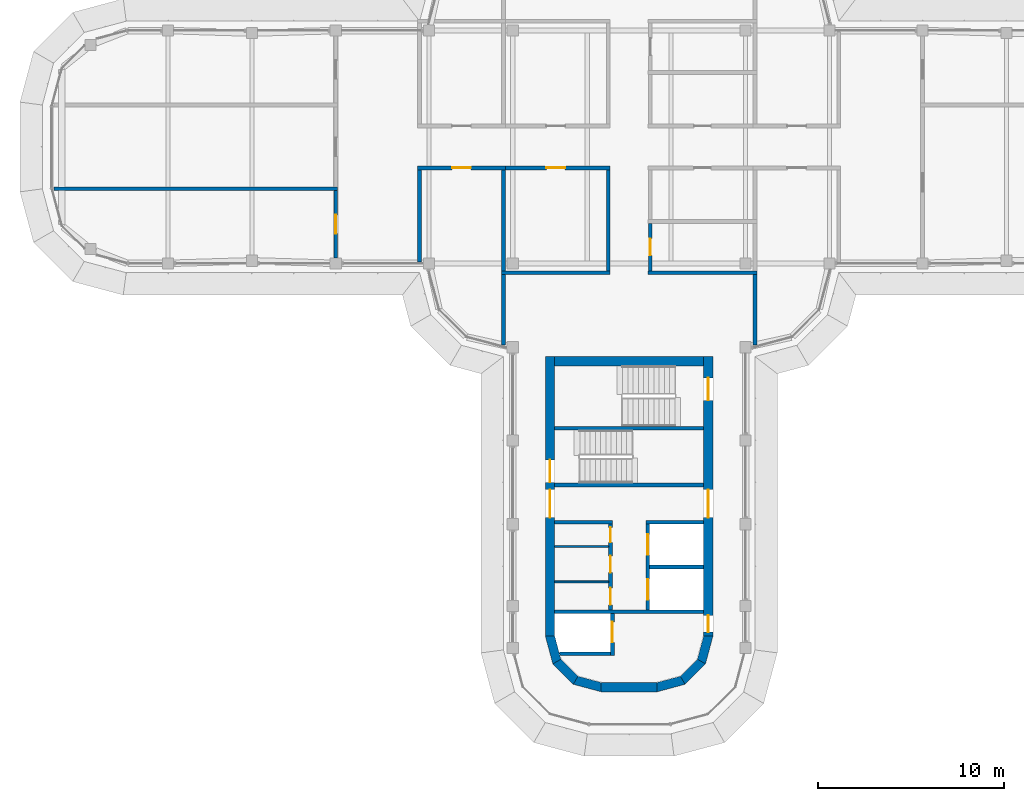
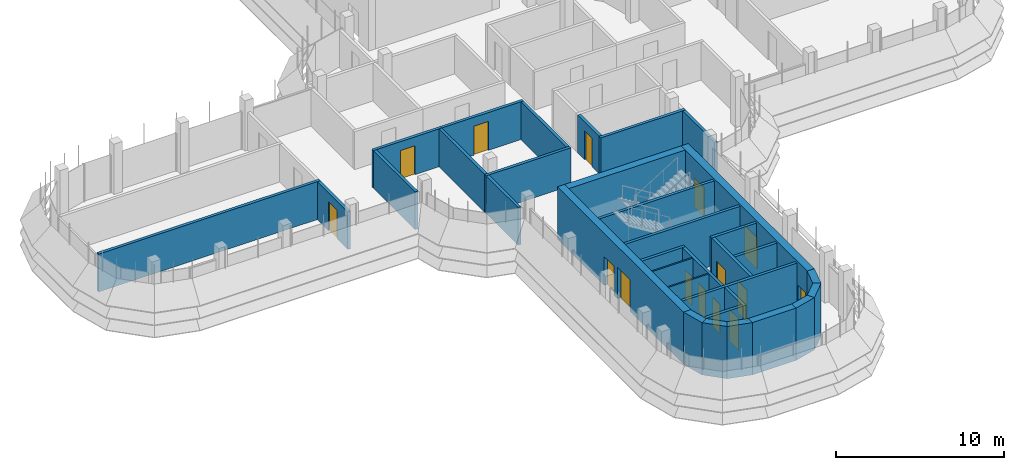
# One storey, part 13 of 19: 34 walls, 15 doors, 15 openings.
"""IFC4 building model written with IfcOpenShell, lengths in metres."""

from ifc_helpers import new_model, si_unit, direction, frame, frame_2d, origin, place, context, subcontext, project, spatial, polyline, rectangle, outline, extrude, material, layer, layer_set, type_object, element, fill, save


model = new_model("IFC4")

# Units and contexts
model_context = context("Model", 3, precision=1e-05, world=origin(), true_north=direction((0.0, 1.0)))
body_context = subcontext(model_context, "Body", "Model", "MODEL_VIEW")
ifc_project = project(units=[si_unit("LENGTHUNIT", "METRE"), si_unit("AREAUNIT", "SQUARE_METRE"), si_unit("VOLUMEUNIT", "CUBIC_METRE"), si_unit("PLANEANGLEUNIT", "RADIAN"), si_unit("MASSUNIT", "GRAM", prefix="KILO")], contexts=[model_context])

# Site, building, storey
site_placement = place(None, origin())
site = spatial("IfcSite", under=ifc_project, at=site_placement, CompositionType="ELEMENT")
building_placement = place(site_placement, origin())
building = spatial("IfcBuilding", under=site, at=building_placement, Name="Zarbagh Exchange Tower", CompositionType="ELEMENT")
storey_placement = place(building_placement, frame((0.0, 0.0, 268.800048828125)))
storey = spatial("IfcBuildingStorey", under=building, at=storey_placement, Name="L66", CompositionType="ELEMENT", Elevation=268.800048828125)

# Walls
ifc_material_1 = material(Name="Dense blockwork", Category="masonry")
ifc_layer_1 = layer(ifc_material_1, 0.10009765625)
ifc_layer_set_1 = layer_set([ifc_layer_1], Name="Core partition 100 mm blockwork")
wall_type_1 = type_object("IfcWallType", Name="Core partition 100 mm blockwork", PredefinedType="PARTITIONING", material=ifc_layer_set_1)
for number, where, z_axis, x_axis, name in (
    (1, (-1.10009765625, -23.35009765625, 0.0), (0.0, 0.0, 1.0), (-1.0, 0.0, 0.0), "South core partition wall CUT-E-500"),
    (2, (-1.10009765625, -21.449951171875, 0.0), (0.0, 0.0, 1.0), (-1.0, 0.0, 0.0), "South core partition wall CUT-E-690"),
):
    element("IfcWall", number, at=place(storey_placement, frame(where, z_axis=z_axis, x_axis=x_axis)), inside=storey, type_object=wall_type_1, Name=name, PredefinedType="PARTITIONING", context=body_context, shape_type="SweptSolid", body=[
        extrude(rectangle(XDim=2.89990234375, YDim=0.10009765625, at=frame_2d((1.449951171875, 0.0))), origin(), (0.0, 0.0, 1.0), 3.64990234375),
    ])

# Wall, opening, door
ifc_material_2 = material(Name="Fire-rated plasterboard partition")
ifc_layer_2 = layer(ifc_material_2, 0.199951171875)
ifc_layer_set_2 = layer_set([ifc_layer_2], Name="RATED PARTITION 200")
wall_type_2 = type_object("IfcWallType", Name="RATED PARTITION 200", PredefinedType="PARTITIONING", material=ifc_layer_set_2)
wall_1_placement = place(storey_placement, frame((-1.02490234375, -1.125, 0.0), z_axis=(0.0, 0.0, 1.0), x_axis=(-1.0, 0.0, 0.0)))
wall_1 = element("IfcWall", 3, at=wall_1_placement, inside=storey, type_object=wall_type_2, Name="Partition W-2807", PredefinedType="PARTITIONING", context=body_context, shape_type="SweptSolid", body=[
    extrude(rectangle(XDim=5.8251953125, YDim=0.199951171875, at=frame_2d((2.91259765625, 0.0))), origin(), (0.0, 0.0, 1.0), 2.75),
])
opening_1_placement = place(wall_1_placement, frame((2.41259765625, 0.0, 0.0)))
opening_1 = element("IfcOpeningElement", 4, at=opening_1_placement, cuts=wall_1, Name="Opening D-2812", PredefinedType="OPENING", context=body_context, shape_type="SweptSolid", body=[
    extrude(rectangle(XDim=1.0, YDim=2.10009765625, at=frame_2d((0.5, 1.050048828125))), frame((0.0, 0.10986328125, 0.0), z_axis=(0.0, -1.0, 0.0), x_axis=(1.0, 0.0, 0.0)), (0.0, 0.0, 1.0), 0.219970703125),
])
ifc_material_3 = material(Name="Steel door set", Category="steel")
door_type_1 = type_object("IfcDoorType", Name="FIRE DOOR 1000 X 2100 FD30S", OperationType="NOTDEFINED", PredefinedType="DOOR", material=ifc_material_3)
door_1_placement = place(opening_1_placement, origin())
door_1 = element("IfcDoor", 5, at=door_1_placement, inside=storey, type_object=door_type_1, Name="Door D-2812", OperationType="SINGLE_SWING_RIGHT", OverallHeight=2.10009765625, OverallWidth=1.0, PredefinedType="DOOR", context=body_context, shape_type="SweptSolid", body=[
    extrude(rectangle(XDim=1.0, YDim=2.10009765625, at=frame_2d((0.5, 1.050048828125))), frame((0.0, 0.02490234375, 0.0), z_axis=(0.0, -1.0, 0.0), x_axis=(1.0, 0.0, 0.0)), (0.0, 0.0, 1.0), 0.050048828125),
])
fill(opening_1, door_1)

wall_2_placement = place(storey_placement, frame((-6.64990234375, -1.125, 0.0), z_axis=(0.0, 0.0, 1.0), x_axis=(-1.0, 0.0, 0.0)))
wall_2 = element("IfcWall", 6, at=wall_2_placement, inside=storey, type_object=wall_type_2, Name="Partition W-2808", PredefinedType="PARTITIONING", context=body_context, shape_type="SweptSolid", body=[
    extrude(rectangle(XDim=4.7001953125, YDim=0.199951171875, at=frame_2d((2.35009765625, 0.0))), origin(), (0.0, 0.0, 1.0), 2.75),
])
opening_2_placement = place(wall_2_placement, frame((1.85009765625, 0.0, 0.0)))
opening_2 = element("IfcOpeningElement", 7, at=opening_2_placement, cuts=wall_2, Name="Opening D-2813", PredefinedType="OPENING", context=body_context, shape_type="SweptSolid", body=[
    extrude(rectangle(XDim=1.0, YDim=2.10009765625, at=frame_2d((0.5, 1.050048828125))), frame((0.0, 0.10986328125, 0.0), z_axis=(0.0, -1.0, 0.0), x_axis=(1.0, 0.0, 0.0)), (0.0, 0.0, 1.0), 0.219970703125),
])
door_2_placement = place(opening_2_placement, origin())
door_2 = element("IfcDoor", 8, at=door_2_placement, inside=storey, type_object=door_type_1, Name="Door D-2813", OperationType="SINGLE_SWING_RIGHT", OverallHeight=2.10009765625, OverallWidth=1.0, PredefinedType="DOOR", context=body_context, shape_type="SweptSolid", body=[
    extrude(rectangle(XDim=1.0, YDim=2.10009765625, at=frame_2d((0.5, 1.050048828125))), frame((0.0, 0.02490234375, 0.0), z_axis=(0.0, -1.0, 0.0), x_axis=(1.0, 0.0, 0.0)), (0.0, 0.0, 1.0), 0.050048828125),
])
fill(opening_2, door_2)

wall_3_placement = place(storey_placement, frame((1.125, -4.10009765625, 0.0), z_axis=(0.0, 0.0, 1.0), x_axis=(0.0, -1.0, 0.0)))
wall_3 = element("IfcWall", 9, at=wall_3_placement, inside=storey, type_object=wall_type_2, Name="Partition W-2813", PredefinedType="PARTITIONING", context=body_context, shape_type="SweptSolid", body=[
    extrude(rectangle(XDim=2.5498046875, YDim=0.199951171875, at=frame_2d((1.27490234375, 0.0))), origin(), (0.0, 0.0, 1.0), 2.75),
])
opening_3_placement = place(wall_3_placement, frame((0.824951171875, 0.0, 0.0)))
opening_3 = element("IfcOpeningElement", 10, at=opening_3_placement, cuts=wall_3, Name="Opening D-2810", PredefinedType="OPENING", context=body_context, shape_type="SweptSolid", body=[
    extrude(rectangle(XDim=0.89990234375, YDim=2.10009765625, at=frame_2d((0.449951171875, 1.050048828125))), frame((0.0, 0.10986328125, 0.0), z_axis=(0.0, -1.0, 0.0), x_axis=(1.0, 0.0, 0.0)), (0.0, 0.0, 1.0), 0.219970703125),
])
ifc_material_4 = material(Name="Timber door leaf", Category="wood")
door_type_2 = type_object("IfcDoorType", Name="DOOR 900 X 2100", OperationType="NOTDEFINED", PredefinedType="DOOR", material=ifc_material_4)
door_3_placement = place(opening_3_placement, origin())
door_3 = element("IfcDoor", 11, at=door_3_placement, inside=storey, type_object=door_type_2, Name="Door D-2810", OperationType="SINGLE_SWING_RIGHT", OverallHeight=2.10009765625, OverallWidth=0.89990234375, PredefinedType="DOOR", context=body_context, shape_type="SweptSolid", body=[
    extrude(rectangle(XDim=0.89990234375, YDim=2.10009765625, at=frame_2d((0.449951171875, 1.050048828125))), frame((0.0, 0.02490234375, 0.0), z_axis=(0.0, -1.0, 0.0), x_axis=(1.0, 0.0, 0.0)), (0.0, 0.0, 1.0), 0.050048828125),
])
fill(opening_3, door_3)

# Walls
wall_4_placement = place(storey_placement, frame((-1.125, -6.64990234375, 0.0), z_axis=(0.0, 0.0, 1.0), x_axis=(0.0, 1.0, 0.0)))
element("IfcWall", 12, at=wall_4_placement, inside=storey, type_object=wall_type_2, Name="Partition W-2814", PredefinedType="PARTITIONING", context=body_context, shape_type="SweptSolid", body=[
    extrude(rectangle(XDim=5.4248046875, YDim=0.199951171875, at=frame_2d((2.71240234375, 0.0))), origin(), (0.0, 0.0, 1.0), 2.75),
])
wall_5_placement = place(storey_placement, frame((1.02490234375, -6.75, 0.0), z_axis=(0.0, 0.0, 1.0), x_axis=(1.0, 0.0, 0.0)))
element("IfcWall", 13, at=wall_5_placement, inside=storey, type_object=wall_type_2, Name="Partition W-2819", PredefinedType="PARTITIONING", context=body_context, shape_type="SweptSolid", body=[
    extrude(rectangle(XDim=5.8251953125, YDim=0.199951171875, at=frame_2d((2.91259765625, 0.0))), origin(), (0.0, 0.0, 1.0), 2.75),
])
wall_6_placement = place(storey_placement, frame((6.75, -10.6298828125, 0.0), z_axis=(0.0, 0.0, 1.0), x_axis=(0.0, 1.0, 0.0)))
element("IfcWall", 14, at=wall_6_placement, inside=storey, type_object=wall_type_2, Name="Partition W-2820", PredefinedType="PARTITIONING", context=body_context, shape_type="SweptSolid", body=[
    extrude(rectangle(XDim=3.77978515625, YDim=0.199951171875, at=frame_2d((1.889892578125, 0.0))), origin(), (0.0, 0.0, 1.0), 2.75),
])
wall_7_placement = place(storey_placement, frame((-6.85009765625, -6.75, 0.0), z_axis=(0.0, 0.0, 1.0), x_axis=(1.0, 0.0, 0.0)))
element("IfcWall", 15, at=wall_7_placement, inside=storey, type_object=wall_type_2, Name="Partition W-2821", PredefinedType="PARTITIONING", context=body_context, shape_type="SweptSolid", body=[
    extrude(rectangle(XDim=5.8251953125, YDim=0.199951171875, at=frame_2d((2.91259765625, 0.0))), origin(), (0.0, 0.0, 1.0), 2.75),
])
wall_8_placement = place(storey_placement, frame((-6.75, -10.6298828125, 0.0), z_axis=(0.0, 0.0, 1.0), x_axis=(0.0, 1.0, 0.0)))
element("IfcWall", 16, at=wall_8_placement, inside=storey, type_object=wall_type_2, Name="Partition W-2822", PredefinedType="PARTITIONING", context=body_context, shape_type="SweptSolid", body=[
    extrude(rectangle(XDim=3.77978515625, YDim=0.199951171875, at=frame_2d((1.889892578125, 0.0))), origin(), (0.0, 0.0, 1.0), 2.75),
])
wall_9_placement = place(storey_placement, frame((-6.75, -6.64990234375, 0.0), z_axis=(0.0, 0.0, 1.0), x_axis=(0.0, 1.0, 0.0)))
element("IfcWall", 17, at=wall_9_placement, inside=storey, type_object=wall_type_2, Name="Partition W-2834", PredefinedType="PARTITIONING", context=body_context, shape_type="SweptSolid", body=[
    extrude(rectangle(XDim=5.4248046875, YDim=0.199951171875, at=frame_2d((2.71240234375, 0.0))), origin(), (0.0, 0.0, 1.0), 2.75),
])
wall_10_placement = place(storey_placement, frame((-11.25, -6.169921875, 0.0), z_axis=(0.0, 0.0, 1.0), x_axis=(0.0, 1.0, 0.0)))
element("IfcWall", 18, at=wall_10_placement, inside=storey, type_object=wall_type_2, Name="Partition W-2835", PredefinedType="PARTITIONING", context=body_context, shape_type="SweptSolid", body=[
    extrude(rectangle(XDim=4.94482421875, YDim=0.199951171875, at=frame_2d((2.472412109375, 0.0))), origin(), (0.0, 0.0, 1.0), 2.75),
])

# Wall, opening, door
wall_11_placement = place(storey_placement, frame((-15.75, -5.949951171875, 0.0), z_axis=(0.0, 0.0, 1.0), x_axis=(0.0, 1.0, 0.0)))
wall_11 = element("IfcWall", 19, at=wall_11_placement, inside=storey, type_object=wall_type_2, Name="Partition W-2839", PredefinedType="PARTITIONING", context=body_context, shape_type="SweptSolid", body=[
    extrude(rectangle(XDim=3.599853515625, YDim=0.199951171875, at=frame_2d((1.7998046875, 0.0))), origin(), (0.0, 0.0, 1.0), 2.75),
])
opening_4_placement = place(wall_11_placement, frame((1.300048828125, 0.0, 0.0)))
opening_4 = element("IfcOpeningElement", 20, at=opening_4_placement, cuts=wall_11, Name="Opening D-2814", PredefinedType="OPENING", context=body_context, shape_type="SweptSolid", body=[
    extrude(rectangle(XDim=1.0, YDim=2.10009765625, at=frame_2d((0.5, 1.050048828125))), frame((0.0, 0.10986328125, 0.0), z_axis=(0.0, -1.0, 0.0), x_axis=(1.0, 0.0, 0.0)), (0.0, 0.0, 1.0), 0.219970703125),
])
door_4_placement = place(opening_4_placement, origin())
door_4 = element("IfcDoor", 21, at=door_4_placement, inside=storey, type_object=door_type_1, Name="Door D-2814", OperationType="SINGLE_SWING_LEFT", OverallHeight=2.10009765625, OverallWidth=1.0, PredefinedType="DOOR", context=body_context, shape_type="SweptSolid", body=[
    extrude(rectangle(XDim=1.0, YDim=2.10009765625, at=frame_2d((0.5, 1.050048828125))), frame((0.0, 0.02490234375, 0.0), z_axis=(0.0, -1.0, 0.0), x_axis=(1.0, 0.0, 0.0)), (0.0, 0.0, 1.0), 0.050048828125),
])
fill(opening_4, door_4)

# Walls
wall_12_placement = place(storey_placement, frame((-30.8798828125, -2.25, 0.0), z_axis=(0.0, 0.0, 1.0), x_axis=(1.0, 0.0, 0.0)))
element("IfcWall", 22, at=wall_12_placement, inside=storey, type_object=wall_type_2, Name="Partition W-2842", PredefinedType="PARTITIONING", context=body_context, shape_type="SweptSolid", body=[
    extrude(rectangle(XDim=15.22998046875, YDim=0.199951171875, at=frame_2d((7.614990234375, 0.0))), origin(), (0.0, 0.0, 1.0), 2.75),
])
ifc_material_5 = material(Name="Concrete C40/50", Category="concrete")
ifc_layer_3 = layer(ifc_material_5, 0.5)
ifc_layer_set_3 = layer_set([ifc_layer_3], Name="RC core corner wall 500 C40/50")
wall_type_3 = type_object("IfcWallType", Name="RC core corner wall 500 C40/50", PredefinedType="SHEAR", material=ifc_layer_set_3)
wall_13_placement = place(storey_placement, origin())
element("IfcWall", 23, at=wall_13_placement, inside=storey, type_object=wall_type_3, Name="CW10 core S corner W", PredefinedType="SHEAR", context=body_context, shape_type="SweptSolid", body=[
    extrude(outline(polyline([(-4.5, -26.25), (-4.09814453125, -27.75), (-3.6650390625, -27.5), (-4.0, -26.25), (-4.5, -26.25)])), origin(), (0.0, 0.0, 1.0), 3.800048828125),
])
wall_14_placement = place(storey_placement, origin())
element("IfcWall", 24, at=wall_14_placement, inside=storey, type_object=wall_type_3, Name="CW10 core S corner W", PredefinedType="SHEAR", context=body_context, shape_type="SweptSolid", body=[
    extrude(outline(polyline([(-4.09814453125, -27.75), (-3.0, -28.84814453125), (-2.75, -28.4150390625), (-3.6650390625, -27.5), (-4.09814453125, -27.75)])), origin(), (0.0, 0.0, 1.0), 3.800048828125),
])
wall_15_placement = place(storey_placement, origin())
element("IfcWall", 25, at=wall_15_placement, inside=storey, type_object=wall_type_3, Name="CW10 core S corner W", PredefinedType="SHEAR", context=body_context, shape_type="SweptSolid", body=[
    extrude(outline(polyline([(-3.0, -28.84814453125), (-1.5, -29.25), (-1.5, -28.75), (-2.75, -28.4150390625), (-3.0, -28.84814453125)])), origin(), (0.0, 0.0, 1.0), 3.800048828125),
])
wall_16_placement = place(storey_placement, origin())
element("IfcWall", 26, at=wall_16_placement, inside=storey, type_object=wall_type_3, Name="CW10 core S corner E", PredefinedType="SHEAR", context=body_context, shape_type="SweptSolid", body=[
    extrude(outline(polyline([(4.5, -26.25), (4.09814453125, -27.75), (3.6650390625, -27.5), (4.0, -26.25), (4.5, -26.25)])), origin(), (0.0, 0.0, 1.0), 3.800048828125),
])
wall_17_placement = place(storey_placement, origin())
element("IfcWall", 27, at=wall_17_placement, inside=storey, type_object=wall_type_3, Name="CW10 core S corner E", PredefinedType="SHEAR", context=body_context, shape_type="SweptSolid", body=[
    extrude(outline(polyline([(4.09814453125, -27.75), (3.0, -28.84814453125), (2.75, -28.4150390625), (3.6650390625, -27.5), (4.09814453125, -27.75)])), origin(), (0.0, 0.0, 1.0), 3.800048828125),
])
wall_18_placement = place(storey_placement, origin())
element("IfcWall", 28, at=wall_18_placement, inside=storey, type_object=wall_type_3, Name="CW10 core S corner E", PredefinedType="SHEAR", context=body_context, shape_type="SweptSolid", body=[
    extrude(outline(polyline([(3.0, -28.84814453125), (1.5, -29.25), (1.5, -28.75), (2.75, -28.4150390625), (3.0, -28.84814453125)])), origin(), (0.0, 0.0, 1.0), 3.800048828125),
])

# Wall, openings, doors
ifc_layer_4 = layer(ifc_material_5, 0.5)
ifc_layer_set_4 = layer_set([ifc_layer_4], Name="RC core wall 500 C40/50")
wall_type_4 = type_object("IfcWallType", Name="RC core wall 500 C40/50", PredefinedType="SHEAR", material=ifc_layer_set_4)
wall_19_placement = place(storey_placement, frame((-4.25, -11.25, 0.0), z_axis=(0.0, 0.0, 1.0), x_axis=(0.0, -1.0, 0.0)))
wall_19 = element("IfcWall", 29, at=wall_19_placement, inside=storey, type_object=wall_type_4, Name="CW9 core S W", PredefinedType="SHEAR", context=body_context, shape_type="SweptSolid", body=[
    extrude(rectangle(XDim=15.0, YDim=0.5, at=frame_2d((7.5, 0.0))), origin(), (0.0, 0.0, 1.0), 3.800048828125),
])
opening_5_placement = place(wall_19_placement, frame((7.14990234375, 0.0, 0.0)))
opening_5 = element("IfcOpeningElement", 30, at=opening_5_placement, cuts=wall_19, Name="Opening CD1-1500", PredefinedType="OPENING", context=body_context, shape_type="SweptSolid", body=[
    extrude(rectangle(XDim=1.5, YDim=2.300048828125, at=frame_2d((0.75, 1.14990234375))), frame((0.0, 0.260009765625, 0.0), z_axis=(0.0, -1.0, 0.0), x_axis=(1.0, 0.0, 0.0)), (0.0, 0.0, 1.0), 0.52001953125),
])
opening_6_placement = place(wall_19_placement, frame((5.550048828125, 0.0, 0.0)))
opening_6 = element("IfcOpeningElement", 31, at=opening_6_placement, cuts=wall_19, Name="Opening SD1-1200", PredefinedType="OPENING", context=body_context, shape_type="SweptSolid", body=[
    extrude(rectangle(XDim=1.199951171875, YDim=2.10009765625, at=frame_2d((0.60009765625, 1.050048828125))), frame((0.0, 0.260009765625, 0.0), z_axis=(0.0, -1.0, 0.0), x_axis=(1.0, 0.0, 0.0)), (0.0, 0.0, 1.0), 0.52001953125),
])
ifc_material_6 = material(Name="Steel", Category="steel")
door_type_3 = type_object("IfcDoorType", Name="Exit stair door 1200 x 2100", OperationType="NOTDEFINED", PredefinedType="DOOR", material=ifc_material_6)
door_5_placement = place(opening_6_placement, origin())
door_5 = element("IfcDoor", 32, at=door_5_placement, inside=storey, type_object=door_type_3, Name="South core stair door ST1", OperationType="SINGLE_SWING_LEFT", OverallHeight=2.10009765625, OverallWidth=1.199951171875, PredefinedType="DOOR", context=body_context, shape_type="SweptSolid", body=[
    extrude(rectangle(XDim=1.199951171875, YDim=2.10009765625, at=frame_2d((0.60009765625, 1.050048828125))), frame((0.0, 0.02490234375, 0.0), z_axis=(0.0, -1.0, 0.0), x_axis=(1.0, 0.0, 0.0)), (0.0, 0.0, 1.0), 0.050048828125),
])
fill(opening_6, door_5)
door_type_4 = type_object("IfcDoorType", Name="Lift lobby double door 1500 x 2300", OperationType="NOTDEFINED", PredefinedType="DOOR", material=ifc_material_6)
door_6_placement = place(opening_5_placement, origin())
door_6 = element("IfcDoor", 33, at=door_6_placement, inside=storey, type_object=door_type_4, Name="South core lift lobby door LOBBY-E", OperationType="DOUBLE_DOOR_SINGLE_SWING", OverallHeight=2.300048828125, OverallWidth=1.5, PredefinedType="DOOR", context=body_context, shape_type="SweptSolid", body=[
    extrude(rectangle(XDim=1.5, YDim=2.300048828125, at=frame_2d((0.75, 1.14990234375))), frame((0.0, 0.02490234375, 0.0), z_axis=(0.0, -1.0, 0.0), x_axis=(1.0, 0.0, 0.0)), (0.0, 0.0, 1.0), 0.050048828125),
])
fill(opening_5, door_6)

wall_20_placement = place(storey_placement, frame((4.25, -11.25, 0.0), z_axis=(0.0, 0.0, 1.0), x_axis=(0.0, -1.0, 0.0)))
wall_20 = element("IfcWall", 34, at=wall_20_placement, inside=storey, type_object=wall_type_4, Name="CW9 core S E", PredefinedType="SHEAR", context=body_context, shape_type="SweptSolid", body=[
    extrude(rectangle(XDim=15.0, YDim=0.5, at=frame_2d((7.5, 0.0))), origin(), (0.0, 0.0, 1.0), 3.800048828125),
])
opening_7_placement = place(wall_20_placement, frame((7.14990234375, 0.0, 0.0)))
opening_7 = element("IfcOpeningElement", 35, at=opening_7_placement, cuts=wall_20, Name="Opening CD1-1500", PredefinedType="OPENING", context=body_context, shape_type="SweptSolid", body=[
    extrude(rectangle(XDim=1.5, YDim=2.300048828125, at=frame_2d((0.75, 1.14990234375))), frame((0.0, 0.260009765625, 0.0), z_axis=(0.0, -1.0, 0.0), x_axis=(1.0, 0.0, 0.0)), (0.0, 0.0, 1.0), 0.52001953125),
])
opening_8_placement = place(wall_20_placement, frame((13.89990234375, 0.0, 0.0)))
opening_8 = element("IfcOpeningElement", 36, at=opening_8_placement, cuts=wall_20, Name="Opening CD2-900", PredefinedType="OPENING", context=body_context, shape_type="SweptSolid", body=[
    extrude(rectangle(XDim=0.89990234375, YDim=2.10009765625, at=frame_2d((0.449951171875, 1.050048828125))), frame((0.0, 0.260009765625, 0.0), z_axis=(0.0, -1.0, 0.0), x_axis=(1.0, 0.0, 0.0)), (0.0, 0.0, 1.0), 0.52001953125),
])
opening_9_placement = place(wall_20_placement, frame((1.14990234375, 0.0, 0.0)))
opening_9 = element("IfcOpeningElement", 37, at=opening_9_placement, cuts=wall_20, Name="Opening SD1-1200", PredefinedType="OPENING", context=body_context, shape_type="SweptSolid", body=[
    extrude(rectangle(XDim=1.199951171875, YDim=2.10009765625, at=frame_2d((0.60009765625, 1.050048828125))), frame((0.0, 0.260009765625, 0.0), z_axis=(0.0, -1.0, 0.0), x_axis=(1.0, 0.0, 0.0)), (0.0, 0.0, 1.0), 0.52001953125),
])
door_7_placement = place(opening_9_placement, origin())
door_7 = element("IfcDoor", 38, at=door_7_placement, inside=storey, type_object=door_type_3, Name="South core stair door ST2", OperationType="SINGLE_SWING_RIGHT", OverallHeight=2.10009765625, OverallWidth=1.199951171875, PredefinedType="DOOR", context=body_context, shape_type="SweptSolid", body=[
    extrude(rectangle(XDim=1.199951171875, YDim=2.10009765625, at=frame_2d((0.60009765625, 1.050048828125))), frame((0.0, 0.02490234375, 0.0), z_axis=(0.0, -1.0, 0.0), x_axis=(1.0, 0.0, 0.0)), (0.0, 0.0, 1.0), 0.050048828125),
])
fill(opening_9, door_7)
door_type_5 = type_object("IfcDoorType", Name="Firefighting lobby door 900 x 2100", OperationType="NOTDEFINED", PredefinedType="DOOR", material=ifc_material_6)
door_8_placement = place(opening_8_placement, origin())
door_8 = element("IfcDoor", 39, at=door_8_placement, inside=storey, type_object=door_type_5, Name="South core firefighting lobby door FF-W", OperationType="SINGLE_SWING_RIGHT", OverallHeight=2.10009765625, OverallWidth=0.89990234375, PredefinedType="DOOR", context=body_context, shape_type="SweptSolid", body=[
    extrude(rectangle(XDim=0.89990234375, YDim=2.10009765625, at=frame_2d((0.449951171875, 1.050048828125))), frame((0.0, 0.02490234375, 0.0), z_axis=(0.0, -1.0, 0.0), x_axis=(1.0, 0.0, 0.0)), (0.0, 0.0, 1.0), 0.050048828125),
])
fill(opening_8, door_8)
door_9_placement = place(opening_7_placement, origin())
door_9 = element("IfcDoor", 40, at=door_9_placement, inside=storey, type_object=door_type_4, Name="South core lift lobby door LOBBY-W", OperationType="DOUBLE_DOOR_SINGLE_SWING", OverallHeight=2.300048828125, OverallWidth=1.5, PredefinedType="DOOR", context=body_context, shape_type="SweptSolid", body=[
    extrude(rectangle(XDim=1.5, YDim=2.300048828125, at=frame_2d((0.75, 1.14990234375))), frame((0.0, 0.02490234375, 0.0), z_axis=(0.0, -1.0, 0.0), x_axis=(1.0, 0.0, 0.0)), (0.0, 0.0, 1.0), 0.050048828125),
])
fill(opening_7, door_9)

# Walls
wall_21_placement = place(storey_placement, frame((-4.0, -11.5, 0.0), z_axis=(0.0, 0.0, 1.0), x_axis=(1.0, 0.0, 0.0)))
element("IfcWall", 41, at=wall_21_placement, inside=storey, type_object=wall_type_4, Name="CW9 core S inner end", PredefinedType="SHEAR", context=body_context, shape_type="SweptSolid", body=[
    extrude(rectangle(XDim=8.0, YDim=0.5, at=frame_2d((4.0, 0.0))), origin(), (0.0, 0.0, 1.0), 3.800048828125),
])
wall_22_placement = place(storey_placement, frame((-1.5, -29.0, 0.0), z_axis=(0.0, 0.0, 1.0), x_axis=(1.0, 0.0, 0.0)))
element("IfcWall", 42, at=wall_22_placement, inside=storey, type_object=wall_type_4, Name="CW9 core S outer end", PredefinedType="SHEAR", context=body_context, shape_type="SweptSolid", body=[
    extrude(rectangle(XDim=3.0, YDim=0.5, at=frame_2d((1.5, 0.0))), origin(), (0.0, 0.0, 1.0), 3.800048828125),
])
ifc_layer_5 = layer(ifc_material_1, 0.199951171875)
ifc_layer_set_5 = layer_set([ifc_layer_5], Name="Shaft wall 200 mm blockwork")
wall_type_5 = type_object("IfcWallType", Name="Shaft wall 200 mm blockwork", PredefinedType="PARTITIONING", material=ifc_layer_set_5)
wall_23_placement = place(storey_placement, frame((4.0, -20.14990234375, 0.0), z_axis=(0.0, 0.0, 1.0), x_axis=(-1.0, 0.0, 0.0)))
element("IfcWall", 43, at=wall_23_placement, inside=storey, type_object=wall_type_5, Name="South core shaft wall AB-W", PredefinedType="PARTITIONING", context=body_context, shape_type="SweptSolid", body=[
    extrude(rectangle(XDim=3.10009765625, YDim=0.199951171875, at=frame_2d((1.550048828125, 0.0))), origin(), (0.0, 0.0, 1.0), 3.64990234375),
])

# Wall, openings, doors
wall_24_placement = place(storey_placement, frame((1.0, -24.85009765625, 0.0), z_axis=(0.0, 0.0, 1.0), x_axis=(0.0, 1.0, 0.0)))
wall_24 = element("IfcWall", 44, at=wall_24_placement, inside=storey, type_object=wall_type_5, Name="South core shaft wall LW-W", PredefinedType="PARTITIONING", context=body_context, shape_type="SweptSolid", body=[
    extrude(rectangle(XDim=4.60009765625, YDim=0.199951171875, at=frame_2d((2.300048828125, 0.0))), origin(), (0.0, 0.0, 1.0), 3.64990234375),
])
opening_10_placement = place(wall_24_placement, frame((0.550048828125, 0.0, 0.0)))
opening_10 = element("IfcOpeningElement", 45, at=opening_10_placement, cuts=wall_24, Name="Opening LD-1100", PredefinedType="OPENING", context=body_context, shape_type="SweptSolid", body=[
    extrude(rectangle(XDim=1.10009765625, YDim=2.300048828125, at=frame_2d((0.550048828125, 1.14990234375))), frame((0.0, 0.10986328125, 0.0), z_axis=(0.0, -1.0, 0.0), x_axis=(1.0, 0.0, 0.0)), (0.0, 0.0, 1.0), 0.219970703125),
])
opening_11_placement = place(wall_24_placement, frame((2.949951171875, 0.0, 0.0)))
opening_11 = element("IfcOpeningElement", 46, at=opening_11_placement, cuts=wall_24, Name="Opening LD-1100", PredefinedType="OPENING", context=body_context, shape_type="SweptSolid", body=[
    extrude(rectangle(XDim=1.10009765625, YDim=2.300048828125, at=frame_2d((0.550048828125, 1.14990234375))), frame((0.0, 0.10986328125, 0.0), z_axis=(0.0, -1.0, 0.0), x_axis=(1.0, 0.0, 0.0)), (0.0, 0.0, 1.0), 0.219970703125),
])
ifc_material_7 = material(Name="Stainless steel", Category="steel")
door_type_6 = type_object("IfcDoorType", Name="Lift landing door 1100 x 2300", OperationType="NOTDEFINED", PredefinedType="DOOR", material=ifc_material_7)
door_10_placement = place(opening_10_placement, origin())
door_10 = element("IfcDoor", 47, at=door_10_placement, inside=storey, type_object=door_type_6, Name="South core lift landing door LD-P-S1", OperationType="DOUBLE_DOOR_SLIDING", OverallHeight=2.300048828125, OverallWidth=1.10009765625, PredefinedType="DOOR", context=body_context, shape_type="SweptSolid", body=[
    extrude(rectangle(XDim=1.10009765625, YDim=2.300048828125, at=frame_2d((0.550048828125, 1.14990234375))), frame((0.0, 0.02490234375, 0.0), z_axis=(0.0, -1.0, 0.0), x_axis=(1.0, 0.0, 0.0)), (0.0, 0.0, 1.0), 0.050048828125),
])
fill(opening_10, door_10)
door_11_placement = place(opening_11_placement, origin())
door_11 = element("IfcDoor", 48, at=door_11_placement, inside=storey, type_object=door_type_6, Name="South core lift landing door LD-P-S2", OperationType="DOUBLE_DOOR_SLIDING", OverallHeight=2.300048828125, OverallWidth=1.10009765625, PredefinedType="DOOR", context=body_context, shape_type="SweptSolid", body=[
    extrude(rectangle(XDim=1.10009765625, YDim=2.300048828125, at=frame_2d((0.550048828125, 1.14990234375))), frame((0.0, 0.02490234375, 0.0), z_axis=(0.0, -1.0, 0.0), x_axis=(1.0, 0.0, 0.0)), (0.0, 0.0, 1.0), 0.050048828125),
])
fill(opening_11, door_11)

# Wall
wall_25_placement = place(storey_placement, frame((-0.89990234375, -20.14990234375, 0.0), z_axis=(0.0, 0.0, 1.0), x_axis=(-1.0, 0.0, 0.0)))
element("IfcWall", 49, at=wall_25_placement, inside=storey, type_object=wall_type_5, Name="South core shaft wall AB-E", PredefinedType="PARTITIONING", context=body_context, shape_type="SweptSolid", body=[
    extrude(rectangle(XDim=3.10009765625, YDim=0.199951171875, at=frame_2d((1.550048828125, 0.0))), origin(), (0.0, 0.0, 1.0), 3.64990234375),
])

# Wall, openings, doors
wall_26_placement = place(storey_placement, frame((-1.0, -24.85009765625, 0.0), z_axis=(0.0, 0.0, 1.0), x_axis=(0.0, 1.0, 0.0)))
wall_26 = element("IfcWall", 50, at=wall_26_placement, inside=storey, type_object=wall_type_5, Name="South core shaft wall LW-E", PredefinedType="PARTITIONING", context=body_context, shape_type="SweptSolid", body=[
    extrude(rectangle(XDim=4.60009765625, YDim=0.199951171875, at=frame_2d((2.300048828125, 0.0))), origin(), (0.0, 0.0, 1.0), 3.64990234375),
])
opening_12_placement = place(wall_26_placement, frame((0.27490234375, 0.0, 0.0)))
opening_12 = element("IfcOpeningElement", 51, at=opening_12_placement, cuts=wall_26, Name="Opening CD3-900", PredefinedType="OPENING", context=body_context, shape_type="SweptSolid", body=[
    extrude(rectangle(XDim=0.89990234375, YDim=2.10009765625, at=frame_2d((0.449951171875, 1.050048828125))), frame((0.0, 0.10986328125, 0.0), z_axis=(0.0, -1.0, 0.0), x_axis=(1.0, 0.0, 0.0)), (0.0, 0.0, 1.0), 0.219970703125),
])
opening_13_placement = place(wall_26_placement, frame((2.0, 0.0, 0.0)))
opening_13 = element("IfcOpeningElement", 52, at=opening_13_placement, cuts=wall_26, Name="Opening CD3-900", PredefinedType="OPENING", context=body_context, shape_type="SweptSolid", body=[
    extrude(rectangle(XDim=0.89990234375, YDim=2.10009765625, at=frame_2d((0.449951171875, 1.050048828125))), frame((0.0, 0.10986328125, 0.0), z_axis=(0.0, -1.0, 0.0), x_axis=(1.0, 0.0, 0.0)), (0.0, 0.0, 1.0), 0.219970703125),
])
opening_14_placement = place(wall_26_placement, frame((3.625, 0.0, 0.0)))
opening_14 = element("IfcOpeningElement", 53, at=opening_14_placement, cuts=wall_26, Name="Opening CD3-800", PredefinedType="OPENING", context=body_context, shape_type="SweptSolid", body=[
    extrude(rectangle(XDim=0.800048828125, YDim=2.10009765625, at=frame_2d((0.39990234375, 1.050048828125))), frame((0.0, 0.10986328125, 0.0), z_axis=(0.0, -1.0, 0.0), x_axis=(1.0, 0.0, 0.0)), (0.0, 0.0, 1.0), 0.219970703125),
])
door_type_7 = type_object("IfcDoorType", Name="Core room door 800 x 2100", OperationType="NOTDEFINED", PredefinedType="DOOR", material=ifc_material_6)
door_12_placement = place(opening_14_placement, origin())
door_12 = element("IfcDoor", 54, at=door_12_placement, inside=storey, type_object=door_type_7, Name="South core IT room door RD-E-2", OperationType="SINGLE_SWING_RIGHT", OverallHeight=2.10009765625, OverallWidth=0.800048828125, PredefinedType="DOOR", context=body_context, shape_type="SweptSolid", body=[
    extrude(rectangle(XDim=0.800048828125, YDim=2.10009765625, at=frame_2d((0.39990234375, 1.050048828125))), frame((0.0, 0.02490234375, 0.0), z_axis=(0.0, -1.0, 0.0), x_axis=(1.0, 0.0, 0.0)), (0.0, 0.0, 1.0), 0.050048828125),
])
fill(opening_14, door_12)
door_type_8 = type_object("IfcDoorType", Name="Core room door 900 x 2100", OperationType="NOTDEFINED", PredefinedType="DOOR", material=ifc_material_6)
door_13_placement = place(opening_12_placement, origin())
door_13 = element("IfcDoor", 55, at=door_13_placement, inside=storey, type_object=door_type_8, Name="South core Cleaner's store door RD-E-0", OperationType="SINGLE_SWING_LEFT", OverallHeight=2.10009765625, OverallWidth=0.89990234375, PredefinedType="DOOR", context=body_context, shape_type="SweptSolid", body=[
    extrude(rectangle(XDim=0.89990234375, YDim=2.10009765625, at=frame_2d((0.449951171875, 1.050048828125))), frame((0.0, 0.02490234375, 0.0), z_axis=(0.0, -1.0, 0.0), x_axis=(1.0, 0.0, 0.0)), (0.0, 0.0, 1.0), 0.050048828125),
])
fill(opening_12, door_13)
door_14_placement = place(opening_13_placement, origin())
door_14 = element("IfcDoor", 56, at=door_14_placement, inside=storey, type_object=door_type_8, Name="South core Pantry door RD-E-1", OperationType="SINGLE_SWING_RIGHT", OverallHeight=2.10009765625, OverallWidth=0.89990234375, PredefinedType="DOOR", context=body_context, shape_type="SweptSolid", body=[
    extrude(rectangle(XDim=0.89990234375, YDim=2.10009765625, at=frame_2d((0.449951171875, 1.050048828125))), frame((0.0, 0.02490234375, 0.0), z_axis=(0.0, -1.0, 0.0), x_axis=(1.0, 0.0, 0.0)), (0.0, 0.0, 1.0), 0.050048828125),
])
fill(opening_13, door_14)

# Walls
wall_27_placement = place(storey_placement, frame((4.0, -22.550048828125, 0.0), z_axis=(0.0, 0.0, 1.0), x_axis=(-1.0, 0.0, 0.0)))
element("IfcWall", 57, at=wall_27_placement, inside=storey, type_object=wall_type_5, Name="South core shaft wall TR-W", PredefinedType="PARTITIONING", context=body_context, shape_type="SweptSolid", body=[
    extrude(rectangle(XDim=2.89990234375, YDim=0.199951171875, at=frame_2d((1.449951171875, 0.0))), origin(), (0.0, 0.0, 1.0), 3.64990234375),
])
ifc_layer_6 = layer(ifc_material_5, 0.199951171875)
ifc_layer_set_6 = layer_set([ifc_layer_6], Name="Stair enclosure wall 200 mm RC C40/50")
wall_type_6 = type_object("IfcWallType", Name="Stair enclosure wall 200 mm RC C40/50", PredefinedType="SHEAR", material=ifc_layer_set_6)
wall_28_placement = place(storey_placement, frame((4.0, -24.949951171875, 0.0), z_axis=(0.0, 0.0, 1.0), x_axis=(-1.0, 0.0, 0.0)))
element("IfcWall", 58, at=wall_28_placement, inside=storey, type_object=wall_type_6, Name="South core lift shaft wall FFA", PredefinedType="SHEAR", context=body_context, shape_type="SweptSolid", body=[
    extrude(rectangle(XDim=8.0, YDim=0.199951171875, at=frame_2d((4.0, 0.0))), origin(), (0.0, 0.0, 1.0), 3.64990234375),
])

# Wall, opening, door
wall_29_placement = place(storey_placement, frame((-0.89990234375, -27.300048828125, 0.0), z_axis=(0.0, 0.0, 1.0), x_axis=(0.0, 1.0, 0.0)))
wall_29 = element("IfcWall", 59, at=wall_29_placement, inside=storey, type_object=wall_type_6, Name="South core lift shaft wall FFL", PredefinedType="SHEAR", context=body_context, shape_type="SweptSolid", body=[
    extrude(rectangle(XDim=2.25, YDim=0.199951171875, at=frame_2d((1.125, 0.0))), origin(), (0.0, 0.0, 1.0), 3.64990234375),
])
opening_15_placement = place(wall_29_placement, frame((0.699951171875, 0.0, 0.0)))
opening_15 = element("IfcOpeningElement", 60, at=opening_15_placement, cuts=wall_29, Name="Opening LD-1100", PredefinedType="OPENING", context=body_context, shape_type="SweptSolid", body=[
    extrude(rectangle(XDim=1.10009765625, YDim=2.300048828125, at=frame_2d((0.550048828125, 1.14990234375))), frame((0.0, 0.10986328125, 0.0), z_axis=(0.0, -1.0, 0.0), x_axis=(1.0, 0.0, 0.0)), (0.0, 0.0, 1.0), 0.219970703125),
])
door_15_placement = place(opening_15_placement, origin())
door_15 = element("IfcDoor", 61, at=door_15_placement, inside=storey, type_object=door_type_6, Name="South core lift landing door LD-F", OperationType="DOUBLE_DOOR_SLIDING", OverallHeight=2.300048828125, OverallWidth=1.10009765625, PredefinedType="DOOR", context=body_context, shape_type="SweptSolid", body=[
    extrude(rectangle(XDim=1.10009765625, YDim=2.300048828125, at=frame_2d((0.550048828125, 1.14990234375))), frame((0.0, 0.02490234375, 0.0), z_axis=(0.0, -1.0, 0.0), x_axis=(1.0, 0.0, 0.0)), (0.0, 0.0, 1.0), 0.050048828125),
])
fill(opening_15, door_15)

# Walls
wall_30_placement = place(storey_placement, origin())
element("IfcWall", 62, at=wall_30_placement, inside=storey, type_object=wall_type_6, Name="South core lift shaft wall FFX", PredefinedType="SHEAR", context=body_context, shape_type="SweptSolid", body=[
    extrude(outline(polyline([(-1.0, -27.10009765625), (-3.754638671875, -27.10009765625), (-3.700927734375, -27.300048828125), (-1.0, -27.300048828125), (-1.0, -27.10009765625)])), origin(), (0.0, 0.0, 1.0), 3.64990234375),
])
for number, where, z_axis, x_axis, name in (
    (63, (4.0, -18.14990234375, 0.0), (0.0, 0.0, 1.0), (-1.0, 0.0, 0.0), "South core stair wall BS"),
    (64, (4.0, -15.10009765625, 0.0), (0.0, 0.0, 1.0), (-1.0, 0.0, 0.0), "South core stair wall ST12"),
):
    element("IfcWall", number, at=place(storey_placement, frame(where, z_axis=z_axis, x_axis=x_axis)), inside=storey, type_object=wall_type_6, Name=name, PredefinedType="SHEAR", context=body_context, shape_type="SweptSolid", body=[
        extrude(rectangle(XDim=8.0, YDim=0.199951171875, at=frame_2d((4.0, 0.0))), origin(), (0.0, 0.0, 1.0), 3.64990234375),
    ])

save(model, "model.ifc")
